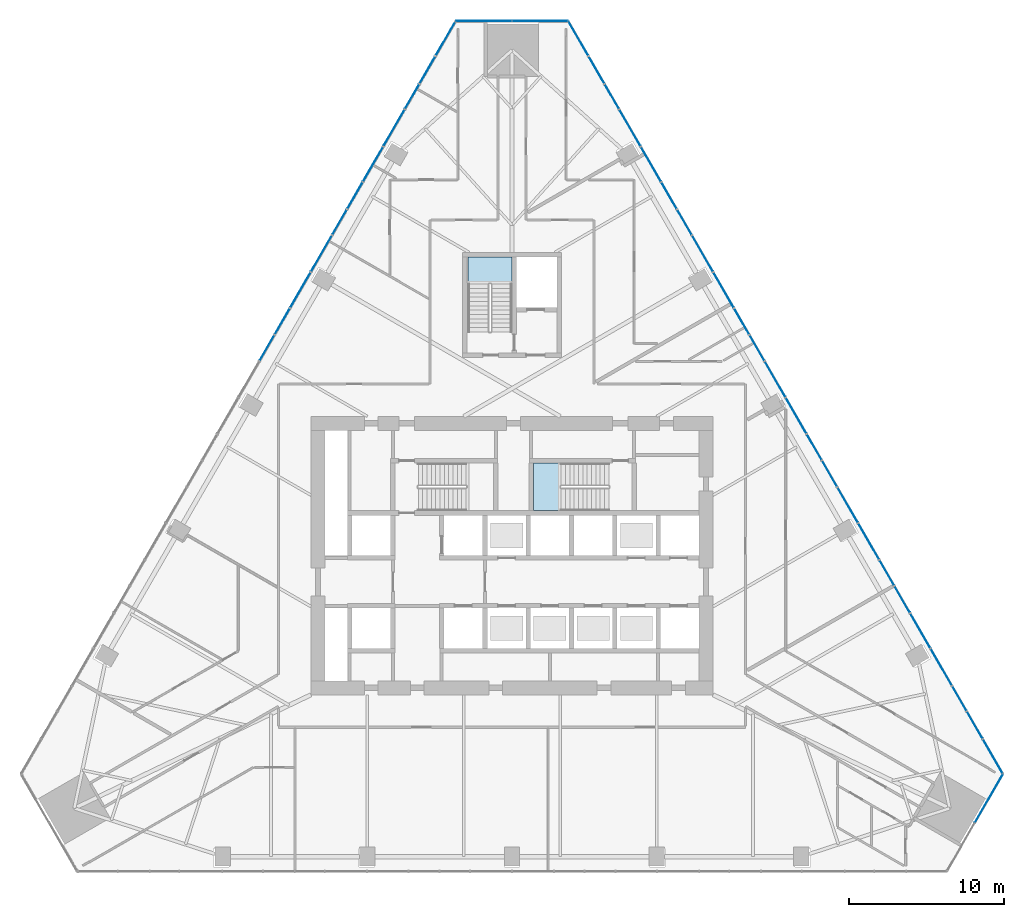
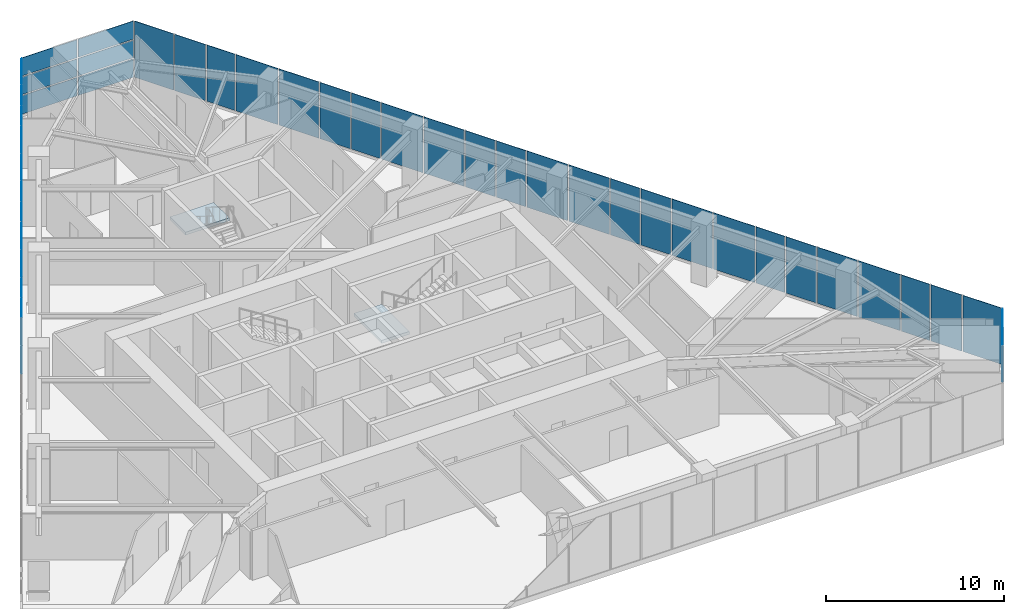
# One storey, part 12 of 19: 43 plates, 2 slabs, 6 elements without a shape of their own.
"""IFC4 building model written with IfcOpenShell, lengths in metres."""

from ifc_helpers import new_model, si_unit, direction, frame, origin, place, context, subcontext, project, spatial, polyline, outline, extrude, material, layer, layer_set, type_object, element, aggregate, save


model = new_model("IFC4")

# Units and contexts
model_context = context("Model", 3, precision=1e-05, world=origin(), true_north=direction((0.0, 1.0)))
body_context = subcontext(model_context, "Body", "Model", "MODEL_VIEW")
ifc_project = project(units=[si_unit("LENGTHUNIT", "METRE"), si_unit("AREAUNIT", "SQUARE_METRE"), si_unit("VOLUMEUNIT", "CUBIC_METRE"), si_unit("PLANEANGLEUNIT", "RADIAN"), si_unit("MASSUNIT", "GRAM", prefix="KILO")], contexts=[model_context])

# Site, building, storey
site_placement = place(None, origin())
site = spatial("IfcSite", under=ifc_project, at=site_placement, CompositionType="ELEMENT")
building_placement = place(site_placement, origin())
building = spatial("IfcBuilding", under=site, at=building_placement, Name="Firuza Gate Tower and Library", CompositionType="ELEMENT")
storey_placement = place(building_placement, frame((0.0, 0.0, 103.0)))
storey = spatial("IfcBuildingStorey", under=building, at=storey_placement, Name="L23", CompositionType="ELEMENT", Elevation=103.0)

# Curtain wall, plate
ifc_material_1 = material(Name="Aluminium 6063-T6", Category="aluminium")
ifc_layer_1 = layer(ifc_material_1, 0.14990234375)
ifc_layer_set_1 = layer_set([ifc_layer_1], Name="Corner curtain wall, chamfers")
curtain_wall_type_1 = type_object("IfcCurtainWallType", Name="Corner curtain wall, chamfers", PredefinedType="NOTDEFINED", material=ifc_layer_set_1)
placement_1 = place(storey_placement, origin())
curtain_wall_1 = element("IfcCurtainWall", 1, at=placement_1, inside=storey, type_object=curtain_wall_type_1, Name="CW4 L23 SE corner", PredefinedType="NOTDEFINED")
ifc_material_2 = material(Name="Fritted glass", Category="glass")
ifc_layer_2 = layer(ifc_material_2, 0.030029296875)
ifc_layer_set_2 = layer_set([ifc_layer_2], Name="Fritted glass unit, corners")
plate_type_1 = type_object("IfcPlateType", Name="Fritted glass unit, corners", PredefinedType="CURTAIN_PANEL", material=ifc_layer_set_2)
plate_1_placement = place(storey_placement, frame((104.960693359375, 57.74853515625, 1.489990234375), z_axis=(0.866029262436, -0.49999331656, 0.0), x_axis=(0.49999331656, 0.866029262436, 0.0)))
plate_1 = element("IfcPlate", 2, at=plate_1_placement, type_object=plate_type_1, Name="Glass unit", PredefinedType="CURTAIN_PANEL", context=body_context, shape_type="SweptSolid", body=[
    extrude(outline(polyline([(0.0, 0.0), (3.563035907926298, 0.0), (3.563035907926298, 1.195068359375), (0.0, 1.195068359375), (0.0, 0.0)])), origin(), (0.0, 0.0, -1.0), 0.030029296875),
])

# Curtain wall, plates
curtain_wall_2 = element("IfcCurtainWall", 3, at=placement_1, inside=storey, type_object=curtain_wall_type_1, Name="CW4 L23 N corner", PredefinedType="NOTDEFINED")
plate_2_placement = place(storey_placement, frame((78.603271484375, 109.572509765625, 0.14990234375), z_axis=(0.0, 1.0, 0.0), x_axis=(-1.0, 0.0, 0.0)))
plate_2 = element("IfcPlate", 4, at=plate_2_placement, type_object=plate_type_1, Name="Glass unit", PredefinedType="CURTAIN_PANEL", context=body_context, shape_type="SweptSolid", body=[
    extrude(outline(polyline([(0.0, 0.0), (3.563232421875, 0.0), (3.563232421875, 1.260009765625), (0.0, 1.260009765625), (0.0, 0.0)])), origin(), (0.0, 0.0, -1.0), 0.030029296875),
])
plate_3_placement = place(storey_placement, frame((78.603271484375, 109.572509765625, 1.489990234375), z_axis=(0.0, 1.0, 0.0), x_axis=(-1.0, 0.0, 0.0)))
plate_3 = element("IfcPlate", 5, at=plate_3_placement, type_object=plate_type_1, Name="Glass unit", PredefinedType="CURTAIN_PANEL", context=body_context, shape_type="SweptSolid", body=[
    extrude(outline(polyline([(0.0, 0.0), (3.563232421875, 0.0), (3.563232421875, 1.195068359375), (0.0, 1.195068359375), (0.0, 0.0)])), origin(), (0.0, 0.0, -1.0), 0.030029296875),
])
plate_4_placement = place(storey_placement, frame((74.9599609375, 109.572509765625, 0.14990234375), z_axis=(0.0, 1.0, 0.0), x_axis=(-1.0, 0.0, 0.0)))
plate_4 = element("IfcPlate", 6, at=plate_4_placement, type_object=plate_type_1, Name="Glass unit", PredefinedType="CURTAIN_PANEL", context=body_context, shape_type="SweptSolid", body=[
    extrude(outline(polyline([(0.0, 0.0), (3.563232421875, 0.0), (3.563232421875, 1.260009765625), (0.0, 1.260009765625), (0.0, 0.0)])), origin(), (0.0, 0.0, -1.0), 0.030029296875),
])
plate_5_placement = place(storey_placement, frame((74.9599609375, 109.572509765625, 1.489990234375), z_axis=(0.0, 1.0, 0.0), x_axis=(-1.0, 0.0, 0.0)))
plate_5 = element("IfcPlate", 7, at=plate_5_placement, type_object=plate_type_1, Name="Glass unit", PredefinedType="CURTAIN_PANEL", context=body_context, shape_type="SweptSolid", body=[
    extrude(outline(polyline([(0.0, 0.0), (3.563232421875, 0.0), (3.563232421875, 1.195068359375), (0.0, 1.195068359375), (0.0, 0.0)])), origin(), (0.0, 0.0, -1.0), 0.030029296875),
])

ifc_material_3 = material(Name="Aluminium 6063-T6", Category="aluminium")
ifc_layer_3 = layer(ifc_material_3, 0.14990234375)
ifc_layer_set_3 = layer_set([ifc_layer_3], Name="Unitised curtain wall, offices")
curtain_wall_type_2 = type_object("IfcCurtainWallType", Name="Unitised curtain wall, offices", PredefinedType="NOTDEFINED", material=ifc_layer_set_3)
curtain_wall_3 = element("IfcCurtainWall", 8, at=placement_1, inside=storey, type_object=curtain_wall_type_2, Name="CW1 L23 E face", PredefinedType="NOTDEFINED")
ifc_material_4 = material(Name="Fritted glass", Category="glass")
ifc_layer_4 = layer(ifc_material_4, 0.030029296875)
ifc_layer_set_4 = layer_set([ifc_layer_4], Name="Fritted glass unit, offices")
plate_type_2 = type_object("IfcPlateType", Name="Fritted glass unit, offices", PredefinedType="CURTAIN_PANEL", material=ifc_layer_set_4)
plate_6_placement = place(storey_placement, frame((105.437744140625, 63.177978515625, 0.14990234375), z_axis=(0.866051110099, 0.499955472713, 0.0), x_axis=(-0.499955472713, 0.866051110099, 0.0)))
plate_6 = element("IfcPlate", 9, at=plate_6_placement, type_object=plate_type_2, Name="Glass unit", PredefinedType="CURTAIN_PANEL", context=body_context, shape_type="SweptSolid", body=[
    extrude(outline(polyline([(0.0, 0.0), (1.9952948776339197, 0.0), (1.9952948776339197, 3.8500976562499996), (0.0, 3.8500976562499996), (0.0, 0.0)])), origin(), (0.0, 0.0, -1.0), 0.030029296875),
])
plate_7_placement = place(storey_placement, frame((104.400146484375, 64.975341796875, 0.14990234375), z_axis=(0.865991447706, 0.500058809042, 0.0), x_axis=(-0.500058809042, 0.865991447706, 0.0)))
plate_7 = element("IfcPlate", 10, at=plate_7_placement, type_object=plate_type_2, Name="Glass unit", PredefinedType="CURTAIN_PANEL", context=body_context, shape_type="SweptSolid", body=[
    extrude(outline(polyline([(0.0, 0.0), (1.8220513188151832, 0.0), (1.8220513188151832, 3.85009765625), (0.0, 3.85009765625), (0.0, 0.0)])), origin(), (0.0, 0.0, -1.0), 0.030029296875),
])
plate_8_placement = place(storey_placement, frame((100.736083984375, 71.321533203125, 0.14990234375), z_axis=(0.8660508054, 0.499956000529, 0.0), x_axis=(-0.499956000529, 0.8660508054, 0.0)))
plate_8 = element("IfcPlate", 11, at=plate_8_placement, type_object=plate_type_2, Name="Glass unit", PredefinedType="CURTAIN_PANEL", context=body_context, shape_type="SweptSolid", body=[
    extrude(outline(polyline([(0.0, 0.0), (1.960621751387984, 0.0), (1.960621751387984, 3.85009765625), (0.0, 3.85009765625), (0.0, 0.0)])), origin(), (0.0, 0.0, -1.0), 0.030029296875),
])
plate_9_placement = place(storey_placement, frame((99.7158203125, 73.0888671875, 0.14990234375), z_axis=(0.865992883789, 0.500056322054, 0.0), x_axis=(-0.500056322054, 0.865992883789, 0.0)))
plate_9 = element("IfcPlate", 12, at=plate_9_placement, type_object=plate_type_2, Name="Glass unit", PredefinedType="CURTAIN_PANEL", context=body_context, shape_type="SweptSolid", body=[
    extrude(outline(polyline([(0.0, 0.0), (1.8567244446797222, 0.0), (1.8567244446797222, 3.85009765625), (0.0, 3.85009765625), (0.0, 0.0)])), origin(), (0.0, 0.0, -1.0), 0.030029296875),
])
plate_10_placement = place(storey_placement, frame((96.034423828125, 79.465087890625, 0.14990234375), z_axis=(0.86605048973, 0.49995654735, 0.0), x_axis=(-0.49995654735, 0.86605048973, 0.0)))
plate_10 = element("IfcPlate", 13, at=plate_10_placement, type_object=plate_type_2, Name="Glass unit", PredefinedType="CURTAIN_PANEL", context=body_context, shape_type="SweptSolid", body=[
    extrude(outline(polyline([(0.0, 0.0), (1.9259486251428029, 0.0), (1.9259486251428029, 3.85009765625), (0.0, 3.85009765625), (0.0, 0.0)])), origin(), (0.0, 0.0, -1.0), 0.030029296875),
])
plate_11_placement = place(storey_placement, frame((95.031494140625, 81.202392578125, 0.14990234375), z_axis=(0.865994267213, 0.500053926246, 0.0), x_axis=(-0.500053926246, 0.865994267213, 0.0)))
plate_11 = element("IfcPlate", 14, at=plate_11_placement, type_object=plate_type_2, Name="Glass unit", PredefinedType="CURTAIN_PANEL", context=body_context, shape_type="SweptSolid", body=[
    extrude(outline(polyline([(0.0, 0.0), (1.8913975705590127, 0.0), (1.8913975705590127, 3.85009765625), (0.0, 3.85009765625), (0.0, 0.0)])), origin(), (0.0, 0.0, -1.0), 0.030029296875),
])
plate_12_placement = place(storey_placement, frame((91.332763671875, 87.608642578125, 0.14990234375), z_axis=(0.866050162485, 0.49995711422, 0.0), x_axis=(-0.49995711422, 0.866050162485, 0.0)))
plate_12 = element("IfcPlate", 15, at=plate_12_placement, type_object=plate_type_2, Name="Glass unit", PredefinedType="CURTAIN_PANEL", context=body_context, shape_type="SweptSolid", body=[
    extrude(outline(polyline([(0.0, 0.0), (1.8912754988984177, 0.0), (1.8912754988984177, 3.85009765625), (0.0, 3.85009765625), (0.0, 0.0)])), origin(), (0.0, 0.0, -1.0), 0.030029296875),
])
plate_13_placement = place(storey_placement, frame((90.34716796875, 89.31591796875, 0.14990234375), z_axis=(0.865995600822, 0.500051616692, 0.0), x_axis=(-0.500051616692, 0.865995600822, 0.0)))
plate_13 = element("IfcPlate", 16, at=plate_13_placement, type_object=plate_type_2, Name="Glass unit", PredefinedType="CURTAIN_PANEL", context=body_context, shape_type="SweptSolid", body=[
    extrude(outline(polyline([(0.0, 0.0), (1.9260706964522578, 0.0), (1.9260706964522578, 3.85009765625), (0.0, 3.85009765625), (0.0, 0.0)])), origin(), (0.0, 0.0, -1.0), 0.030029296875),
])
plate_14_placement = place(storey_placement, frame((86.631103515625, 95.752197265625, 0.14990234375), z_axis=(0.866049823017, 0.499957702264, 0.0), x_axis=(-0.499957702264, 0.866049823017, 0.0)))
plate_14 = element("IfcPlate", 17, at=plate_14_placement, type_object=plate_type_2, Name="Glass unit", PredefinedType="CURTAIN_PANEL", context=body_context, shape_type="SweptSolid", body=[
    extrude(outline(polyline([(0.0, 0.0), (1.8566023726548733, 0.0), (1.8566023726548733, 3.85009765625), (0.0, 3.85009765625), (0.0, 0.0)])), origin(), (0.0, 0.0, -1.0), 0.030029296875),
])
plate_15_placement = place(storey_placement, frame((85.662841796875, 97.42919921875, 0.14990234375), z_axis=(0.866028016946, 0.499995473844, 0.0), x_axis=(-0.499995473844, 0.866028016946, 0.0)))
plate_15 = element("IfcPlate", 18, at=plate_15_placement, type_object=plate_type_2, Name="Glass unit", PredefinedType="CURTAIN_PANEL", context=body_context, shape_type="SweptSolid", body=[
    extrude(outline(polyline([(0.0, 0.0), (1.9609552511802373, 0.0), (1.9609552511802373, 3.85009765625), (0.0, 3.85009765625), (0.0, 0.0)])), origin(), (0.0, 0.0, -1.0), 0.030029296875),
])
plate_16_placement = place(storey_placement, frame((81.929443359375, 103.895751953125, 0.14990234375), z_axis=(0.866049470627, 0.499958312689, 0.0), x_axis=(-0.499958312689, 0.866049470627, 0.0)))
plate_16 = element("IfcPlate", 19, at=plate_16_placement, type_object=plate_type_2, Name="Glass unit", PredefinedType="CURTAIN_PANEL", context=body_context, shape_type="SweptSolid", body=[
    extrude(outline(polyline([(0.0, 0.0), (1.8219292464122174, 0.0), (1.8219292464122174, 3.85009765625), (0.0, 3.85009765625), (0.0, 0.0)])), origin(), (0.0, 0.0, -1.0), 0.030029296875),
])
plate_17_placement = place(storey_placement, frame((80.978515625, 105.542724609375, 0.14990234375), z_axis=(0.866028717572, 0.499994260308, 0.0), x_axis=(-0.499994260308, 0.866028717572, 0.0)))
plate_17 = element("IfcPlate", 20, at=plate_17_placement, type_object=plate_type_2, Name="Glass unit", PredefinedType="CURTAIN_PANEL", context=body_context, shape_type="SweptSolid", body=[
    extrude(outline(polyline([(0.0, 0.0), (1.99562837733632, 0.0), (1.99562837733632, 3.85009765625), (0.0, 3.85009765625), (0.0, 0.0)])), origin(), (0.0, 0.0, -1.0), 0.030029296875),
])

curtain_wall_4 = element("IfcCurtainWall", 21, at=placement_1, inside=storey, type_object=curtain_wall_type_2, Name="CW1 L23 W face", PredefinedType="NOTDEFINED")
plate_18_placement = place(storey_placement, frame((70.019287109375, 107.27099609375, 0.14990234375), z_axis=(-0.866028717572, 0.499994260308, 0.0), x_axis=(-0.499994260308, -0.866028717572, 0.0)))
plate_18 = element("IfcPlate", 22, at=plate_18_placement, type_object=plate_type_2, Name="Glass unit", PredefinedType="CURTAIN_PANEL", context=body_context, shape_type="SweptSolid", body=[
    extrude(outline(polyline([(0.0, 0.0), (1.99562837733632, 0.0), (1.99562837733632, 3.85009765625), (0.0, 3.85009765625), (0.0, 0.0)])), origin(), (0.0, 0.0, -1.0), 0.030029296875),
])
plate_19_placement = place(storey_placement, frame((68.9814453125, 105.4736328125, 0.14990234375), z_axis=(-0.866049470627, 0.499958312689, 0.0), x_axis=(-0.499958312689, -0.866049470627, 0.0)))
plate_19 = element("IfcPlate", 23, at=plate_19_placement, type_object=plate_type_2, Name="Glass unit", PredefinedType="CURTAIN_PANEL", context=body_context, shape_type="SweptSolid", body=[
    extrude(outline(polyline([(0.0, 0.0), (1.8219292464122174, 0.0), (1.8219292464122174, 3.85009765625), (0.0, 3.85009765625), (0.0, 0.0)])), origin(), (0.0, 0.0, -1.0), 0.030029296875),
])
plate_20_placement = place(storey_placement, frame((65.317626953125, 99.12744140625, 0.14990234375), z_axis=(-0.866028016946, 0.499995473844, 0.0), x_axis=(-0.499995473844, -0.866028016946, 0.0)))
plate_20 = element("IfcPlate", 24, at=plate_20_placement, type_object=plate_type_2, Name="Glass unit", PredefinedType="CURTAIN_PANEL", context=body_context, shape_type="SweptSolid", body=[
    extrude(outline(polyline([(0.0, 0.0), (1.9609552511802373, 0.0), (1.9609552511802373, 3.85009765625), (0.0, 3.85009765625), (0.0, 0.0)])), origin(), (0.0, 0.0, -1.0), 0.030029296875),
])
plate_21_placement = place(storey_placement, frame((64.297119140625, 97.360107421875, 0.14990234375), z_axis=(-0.866049823017, 0.499957702264, 0.0), x_axis=(-0.499957702264, -0.866049823017, 0.0)))
plate_21 = element("IfcPlate", 25, at=plate_21_placement, type_object=plate_type_2, Name="Glass unit", PredefinedType="CURTAIN_PANEL", context=body_context, shape_type="SweptSolid", body=[
    extrude(outline(polyline([(0.0, 0.0), (1.8566023726548733, 0.0), (1.8566023726548733, 3.85009765625), (0.0, 3.85009765625), (0.0, 0.0)])), origin(), (0.0, 0.0, -1.0), 0.030029296875),
])
plate_22_placement = place(storey_placement, frame((60.615966796875, 90.98388671875, 0.14990234375), z_axis=(-0.865995600822, 0.500051616692, 0.0), x_axis=(-0.500051616692, -0.865995600822, 0.0)))
plate_22 = element("IfcPlate", 26, at=plate_22_placement, type_object=plate_type_2, Name="Glass unit", PredefinedType="CURTAIN_PANEL", context=body_context, shape_type="SweptSolid", body=[
    extrude(outline(polyline([(0.0, 0.0), (1.9260706964522578, 0.0), (1.9260706964522578, 3.85009765625), (0.0, 3.85009765625), (0.0, 0.0)])), origin(), (0.0, 0.0, -1.0), 0.030029296875),
])
plate_23_placement = place(storey_placement, frame((59.61279296875, 89.24658203125, 0.14990234375), z_axis=(-0.866050162485, 0.49995711422, 0.0), x_axis=(-0.49995711422, -0.866050162485, 0.0)))
plate_23 = element("IfcPlate", 27, at=plate_23_placement, type_object=plate_type_2, Name="Glass unit", PredefinedType="CURTAIN_PANEL", context=body_context, shape_type="SweptSolid", body=[
    extrude(outline(polyline([(0.0, 0.0), (1.8912754988984177, 0.0), (1.8912754988984177, 3.85009765625), (0.0, 3.85009765625), (0.0, 0.0)])), origin(), (0.0, 0.0, -1.0), 0.030029296875),
])

# Plate
ifc_material_5 = material(Name="Glazed ceramic tile")
ifc_layer_5 = layer(ifc_material_5, 0.030029296875)
ifc_layer_set_5 = layer_set([ifc_layer_5], Name="Opaque ceramic panel, corners")
plate_type_3 = type_object("IfcPlateType", Name="Opaque ceramic panel, corners", PredefinedType="CURTAIN_PANEL", material=ifc_layer_set_5)
plate_24_placement = place(storey_placement, frame((104.960693359375, 57.74853515625, 2.764892578125), z_axis=(0.866029262436, -0.49999331656, 0.0), x_axis=(0.49999331656, 0.866029262436, 0.0)))
plate_24 = element("IfcPlate", 28, at=plate_24_placement, type_object=plate_type_3, Name="Opaque ceramic panel", PredefinedType="CURTAIN_PANEL", context=body_context, shape_type="SweptSolid", body=[
    extrude(outline(polyline([(0.0, 0.0), (3.563035907926298, 0.0), (3.563035907926298, 1.235107421875), (0.0, 1.235107421875), (0.0, 0.0)])), origin(), (0.0, 0.0, -1.0), 0.030029296875),
])

aggregate(curtain_wall_1, [plate_1, plate_24])

plate_25_placement = place(storey_placement, frame((78.603271484375, 109.572509765625, 2.764892578125), z_axis=(0.0, 1.0, 0.0), x_axis=(-1.0, 0.0, 0.0)))
plate_25 = element("IfcPlate", 29, at=plate_25_placement, type_object=plate_type_3, Name="Opaque ceramic panel", PredefinedType="CURTAIN_PANEL", context=body_context, shape_type="SweptSolid", body=[
    extrude(outline(polyline([(0.0, 0.0), (3.563232421875, 0.0), (3.563232421875, 1.235107421875), (0.0, 1.235107421875), (0.0, 0.0)])), origin(), (0.0, 0.0, -1.0), 0.030029296875),
])

plate_26_placement = place(storey_placement, frame((74.9599609375, 109.572509765625, 2.764892578125), z_axis=(0.0, 1.0, 0.0), x_axis=(-1.0, 0.0, 0.0)))
plate_26 = element("IfcPlate", 30, at=plate_26_placement, type_object=plate_type_3, Name="Opaque ceramic panel", PredefinedType="CURTAIN_PANEL", context=body_context, shape_type="SweptSolid", body=[
    extrude(outline(polyline([(0.0, 0.0), (3.563232421875, 0.0), (3.563232421875, 1.235107421875), (0.0, 1.235107421875), (0.0, 0.0)])), origin(), (0.0, 0.0, -1.0), 0.030029296875),
])

aggregate(curtain_wall_2, [plate_2, plate_3, plate_25, plate_4, plate_5, plate_26])

ifc_material_6 = material(Name="Glazed ceramic tile")
ifc_layer_6 = layer(ifc_material_6, 0.030029296875)
ifc_layer_set_6 = layer_set([ifc_layer_6], Name="Opaque ceramic panel, offices")
plate_type_4 = type_object("IfcPlateType", Name="Opaque ceramic panel, offices", PredefinedType="CURTAIN_PANEL", material=ifc_layer_set_6)
plate_27_placement = place(storey_placement, frame((106.7421875, 60.918701171875, 0.14990234375), z_axis=(0.866018376776, 0.500012170939, 0.0), x_axis=(-0.500012170939, 0.866018376776, 0.0)))
plate_27 = element("IfcPlate", 31, at=plate_27_placement, type_object=plate_type_4, Name="Opaque ceramic panel", PredefinedType="CURTAIN_PANEL", context=body_context, shape_type="SweptSolid", body=[
    extrude(outline(polyline([(0.0, 0.0), (2.528747039299145, 0.0), (2.528747039299145, 3.85009765625), (0.0, 3.85009765625), (0.0, 0.0)])), origin(), (0.0, 0.0, -1.0), 0.030029296875),
])

plate_28_placement = place(storey_placement, frame((103.44921875, 66.62255859375, 0.14990234375), z_axis=(0.866005048879, 0.500035254073, 0.0), x_axis=(-0.500035254073, 0.866005048879, 0.0)))
plate_28 = element("IfcPlate", 32, at=plate_28_placement, type_object=plate_type_4, Name="Opaque ceramic panel", PredefinedType="CURTAIN_PANEL", context=body_context, shape_type="SweptSolid", body=[
    extrude(outline(polyline([(0.0, 0.0), (2.7024461742796455, 0.0), (2.7024461742796455, 3.8500976562499996), (0.0, 3.8500976562499996), (0.0, 0.0)])), origin(), (0.0, 0.0, -1.0), 0.030029296875),
])

plate_29_placement = place(storey_placement, frame((102.057861328125, 69.0322265625, 0.14990234375), z_axis=(0.866019052629, 0.500011000363, 0.0), x_axis=(-0.500011000363, 0.866019052629, 0.0)))
plate_29 = element("IfcPlate", 33, at=plate_29_placement, type_object=plate_type_4, Name="Opaque ceramic panel", PredefinedType="CURTAIN_PANEL", context=body_context, shape_type="SweptSolid", body=[
    extrude(outline(polyline([(0.0, 0.0), (2.56342016539525, 0.0), (2.56342016539525, 3.85009765625), (0.0, 3.85009765625), (0.0, 0.0)])), origin(), (0.0, 0.0, -1.0), 0.030029296875),
])

plate_30_placement = place(storey_placement, frame((98.74755859375, 74.76611328125, 0.14990234375), z_axis=(0.866004226204, 0.500036678852, 0.0), x_axis=(-0.500036678852, 0.866004226204, 0.0)))
plate_30 = element("IfcPlate", 34, at=plate_30_placement, type_object=plate_type_4, Name="Opaque ceramic panel", PredefinedType="CURTAIN_PANEL", context=body_context, shape_type="SweptSolid", body=[
    extrude(outline(polyline([(0.0, 0.0), (2.6677730482941655, 0.0), (2.6677730482941655, 3.85009765625), (0.0, 3.85009765625), (0.0, 0.0)])), origin(), (0.0, 0.0, -1.0), 0.030029296875),
])

plate_31_placement = place(storey_placement, frame((97.37353515625, 77.1455078125, 0.14990234375), z_axis=(0.866043200788, 0.499969173418, 0.0), x_axis=(-0.499969173418, 0.866043200788, 0.0)))
plate_31 = element("IfcPlate", 35, at=plate_31_placement, type_object=plate_type_4, Name="Opaque ceramic panel", PredefinedType="CURTAIN_PANEL", context=body_context, shape_type="SweptSolid", body=[
    extrude(outline(polyline([(0.0, 0.0), (2.598304724956874, 0.0), (2.598304724956874, 3.85009765625), (0.0, 3.85009765625), (0.0, 0.0)])), origin(), (0.0, 0.0, -1.0), 0.030029296875),
])

plate_32_placement = place(storey_placement, frame((94.045654296875, 82.90966796875, 0.14990234375), z_axis=(0.866020350925, 0.500008751707, 0.0), x_axis=(-0.500008751707, 0.866020350925, 0.0)))
plate_32 = element("IfcPlate", 36, at=plate_32_placement, type_object=plate_type_4, Name="Opaque ceramic panel", PredefinedType="CURTAIN_PANEL", context=body_context, shape_type="SweptSolid", body=[
    extrude(outline(polyline([(0.0, 0.0), (2.6327664176009558, 0.0), (2.6327664176009558, 3.85009765625), (0.0, 3.85009765625), (0.0, 0.0)])), origin(), (0.0, 0.0, -1.0), 0.030029296875),
])

plate_33_placement = place(storey_placement, frame((92.689208984375, 85.259033203125, 0.14990234375), z_axis=(0.866043531843, 0.499968599967, 0.0), x_axis=(-0.499968599967, 0.866043531843, 0.0)))
plate_33 = element("IfcPlate", 37, at=plate_33_placement, type_object=plate_type_4, Name="Opaque ceramic panel", PredefinedType="CURTAIN_PANEL", context=body_context, shape_type="SweptSolid", body=[
    extrude(outline(polyline([(0.0, 0.0), (2.6329778511805086, 0.0), (2.6329778511805086, 3.85009765625), (0.0, 3.85009765625), (0.0, 0.0)])), origin(), (0.0, 0.0, -1.0), 0.030029296875),
])

plate_34_placement = place(storey_placement, frame((89.343994140625, 91.05322265625, 0.14990234375), z_axis=(0.866019710441, 0.50000986103, 0.0), x_axis=(-0.50000986103, 0.866019710441, 0.0)))
plate_34 = element("IfcPlate", 38, at=plate_34_placement, type_object=plate_type_4, Name="Opaque ceramic panel", PredefinedType="CURTAIN_PANEL", context=body_context, shape_type="SweptSolid", body=[
    extrude(outline(polyline([(0.0, 0.0), (2.5980932914959136, 0.0), (2.5980932914959136, 3.85009765625), (0.0, 3.85009765625), (0.0, 0.0)])), origin(), (0.0, 0.0, -1.0), 0.030029296875),
])

plate_35_placement = place(storey_placement, frame((88.0048828125, 93.37255859375, 0.14990234375), z_axis=(0.866043854291, 0.499968041424, 0.0), x_axis=(-0.499968041424, 0.866043854291, 0.0)))
plate_35 = element("IfcPlate", 39, at=plate_35_placement, type_object=plate_type_4, Name="Opaque ceramic panel", PredefinedType="CURTAIN_PANEL", context=body_context, shape_type="SweptSolid", body=[
    extrude(outline(polyline([(0.0, 0.0), (2.667650977405268, 0.0), (2.667650977405268, 3.8500976562499996), (0.0, 3.8500976562499996), (0.0, 0.0)])), origin(), (0.0, 0.0, -1.0), 0.030029296875),
])

plate_36_placement = place(storey_placement, frame((84.642333984375, 99.19677734375, 0.14990234375), z_axis=(0.866019052629, 0.500011000363, 0.0), x_axis=(-0.500011000363, 0.866019052629, 0.0)))
plate_36 = element("IfcPlate", 40, at=plate_36_placement, type_object=plate_type_4, Name="Opaque ceramic panel", PredefinedType="CURTAIN_PANEL", context=body_context, shape_type="SweptSolid", body=[
    extrude(outline(polyline([(0.0, 0.0), (2.56342016539525, 0.0), (2.56342016539525, 3.85009765625), (0.0, 3.85009765625), (0.0, 0.0)])), origin(), (0.0, 0.0, -1.0), 0.030029296875),
])

plate_37_placement = place(storey_placement, frame((83.320556640625, 101.486083984375, 0.14990234375), z_axis=(0.866044168464, 0.499967497213, 0.0), x_axis=(-0.499967497213, 0.866044168464, 0.0)))
plate_37 = element("IfcPlate", 41, at=plate_37_placement, type_object=plate_type_4, Name="Opaque ceramic panel", PredefinedType="CURTAIN_PANEL", context=body_context, shape_type="SweptSolid", body=[
    extrude(outline(polyline([(0.0, 0.0), (2.702324103631109, 0.0), (2.702324103631109, 3.85009765625), (0.0, 3.85009765625), (0.0, 0.0)])), origin(), (0.0, 0.0, -1.0), 0.030029296875),
])

plate_38_placement = place(storey_placement, frame((79.940673828125, 107.34033203125, 0.14990234375), z_axis=(0.866018376776, 0.500012170939, 0.0), x_axis=(-0.500012170939, 0.866018376776, 0.0)))
plate_38 = element("IfcPlate", 42, at=plate_38_placement, type_object=plate_type_4, Name="Opaque ceramic panel", PredefinedType="CURTAIN_PANEL", context=body_context, shape_type="SweptSolid", body=[
    extrude(outline(polyline([(0.0, 0.0), (2.528747039299145, 0.0), (2.528747039299145, 3.85009765625), (0.0, 3.85009765625), (0.0, 0.0)])), origin(), (0.0, 0.0, -1.0), 0.030029296875),
])

aggregate(curtain_wall_3, [plate_27, plate_6, plate_7, plate_28, plate_29, plate_8, plate_9, plate_30, plate_31, plate_10, plate_11, plate_32, plate_33, plate_12, plate_13, plate_34, plate_35, plate_14, plate_15, plate_36, plate_37, plate_16, plate_17, plate_38])

plate_39_placement = place(storey_placement, frame((71.32373046875, 109.5302734375, 0.14990234375), z_axis=(-0.866018376776, 0.500012170939, 0.0), x_axis=(-0.500012170939, -0.866018376776, 0.0)))
plate_39 = element("IfcPlate", 43, at=plate_39_placement, type_object=plate_type_4, Name="Opaque ceramic panel", PredefinedType="CURTAIN_PANEL", context=body_context, shape_type="SweptSolid", body=[
    extrude(outline(polyline([(0.0, 0.0), (2.528747039299145, 0.0), (2.528747039299145, 3.85009765625), (0.0, 3.85009765625), (0.0, 0.0)])), origin(), (0.0, 0.0, -1.0), 0.030029296875),
])

plate_40_placement = place(storey_placement, frame((68.030517578125, 103.826416015625, 0.14990234375), z_axis=(-0.866044168464, 0.499967497213, 0.0), x_axis=(-0.499967497213, -0.866044168464, 0.0)))
plate_40 = element("IfcPlate", 44, at=plate_40_placement, type_object=plate_type_4, Name="Opaque ceramic panel", PredefinedType="CURTAIN_PANEL", context=body_context, shape_type="SweptSolid", body=[
    extrude(outline(polyline([(0.0, 0.0), (2.702324103631109, 0.0), (2.702324103631109, 3.85009765625), (0.0, 3.85009765625), (0.0, 0.0)])), origin(), (0.0, 0.0, -1.0), 0.030029296875),
])

plate_41_placement = place(storey_placement, frame((66.639404296875, 101.416748046875, 0.14990234375), z_axis=(-0.866019052629, 0.500011000363, 0.0), x_axis=(-0.500011000363, -0.866019052629, 0.0)))
plate_41 = element("IfcPlate", 45, at=plate_41_placement, type_object=plate_type_4, Name="Opaque ceramic panel", PredefinedType="CURTAIN_PANEL", context=body_context, shape_type="SweptSolid", body=[
    extrude(outline(polyline([(0.0, 0.0), (2.56342016539525, 0.0), (2.56342016539525, 3.85009765625), (0.0, 3.85009765625), (0.0, 0.0)])), origin(), (0.0, 0.0, -1.0), 0.030029296875),
])

plate_42_placement = place(storey_placement, frame((63.328857421875, 95.682861328125, 0.14990234375), z_axis=(-0.866043854291, 0.499968041424, 0.0), x_axis=(-0.499968041424, -0.866043854291, 0.0)))
plate_42 = element("IfcPlate", 46, at=plate_42_placement, type_object=plate_type_4, Name="Opaque ceramic panel", PredefinedType="CURTAIN_PANEL", context=body_context, shape_type="SweptSolid", body=[
    extrude(outline(polyline([(0.0, 0.0), (2.667650977405268, 0.0), (2.667650977405268, 3.8500976562499996), (0.0, 3.8500976562499996), (0.0, 0.0)])), origin(), (0.0, 0.0, -1.0), 0.030029296875),
])

plate_43_placement = place(storey_placement, frame((61.955078125, 93.30322265625, 0.14990234375), z_axis=(-0.866019710441, 0.50000986103, 0.0), x_axis=(-0.50000986103, -0.866019710441, 0.0)))
plate_43 = element("IfcPlate", 47, at=plate_43_placement, type_object=plate_type_4, Name="Opaque ceramic panel", PredefinedType="CURTAIN_PANEL", context=body_context, shape_type="SweptSolid", body=[
    extrude(outline(polyline([(0.0, 0.0), (2.5980932914959136, 0.0), (2.5980932914959136, 3.85009765625), (0.0, 3.85009765625), (0.0, 0.0)])), origin(), (0.0, 0.0, -1.0), 0.030029296875),
])

aggregate(curtain_wall_4, [plate_39, plate_18, plate_19, plate_40, plate_41, plate_20, plate_21, plate_42, plate_43, plate_22, plate_23])

# Stair, slab
ifc_material_7 = material(Name="Concrete C35/45", Category="concrete")
stair_type_1 = type_object("IfcStairType", Name="Exit stair ST5", PredefinedType="HALF_TURN_STAIR", material=ifc_material_7)
stair_1 = element("IfcStair", 48, at=placement_1, inside=storey, type_object=stair_type_1, Name="L23 Stair ST2", PredefinedType="HALF_TURN_STAIR")
ifc_material_8 = material(Name="Concrete C35/45", Category="concrete")
ifc_layer_7 = layer(ifc_material_8, 0.199951171875)
ifc_layer_set_7 = layer_set([ifc_layer_7], Name="Stair landing 200")
slab_type = type_object("IfcSlabType", Name="Stair landing 200", PredefinedType="LANDING", material=ifc_layer_set_7)
placement_2 = place(storey_placement, frame((0.0, 0.0, 1.89990234375)))
slab_1 = element("IfcSlab", 49, at=placement_2, type_object=slab_type, Name="ST2 landing 1", PredefinedType="LANDING", context=body_context, shape_type="SweptSolid", body=[
    extrude(outline(polyline([(78.179931640625, 80.97998046875), (76.389892578125, 80.97998046875), (76.389892578125, 77.89990234375), (78.179931640625, 77.89990234375), (78.179931640625, 80.97998046875)])), origin(), (0.0, 0.0, 1.0), 0.2001953125),
])
aggregate(stair_1, [slab_1])

ifc_material_9 = material(Name="Concrete C35/45", Category="concrete")
stair_type_2 = type_object("IfcStairType", Name="Exit stair ST14", PredefinedType="HALF_TURN_STAIR", material=ifc_material_9)
stair_2 = element("IfcStair", 50, at=placement_1, inside=storey, type_object=stair_type_2, Name="L23 Stair ST3", PredefinedType="HALF_TURN_STAIR")
slab_2 = element("IfcSlab", 51, at=placement_2, type_object=slab_type, Name="ST3 landing 1", PredefinedType="LANDING", context=body_context, shape_type="SweptSolid", body=[
    extrude(outline(polyline([(75.0, 92.550048828125), (75.0, 94.300048828125), (72.159912109375, 94.300048828125), (72.159912109375, 92.550048828125), (75.0, 92.550048828125)])), origin(), (0.0, 0.0, 1.0), 0.2001953125),
])
aggregate(stair_2, [slab_2])

save(model, "model.ifc")
